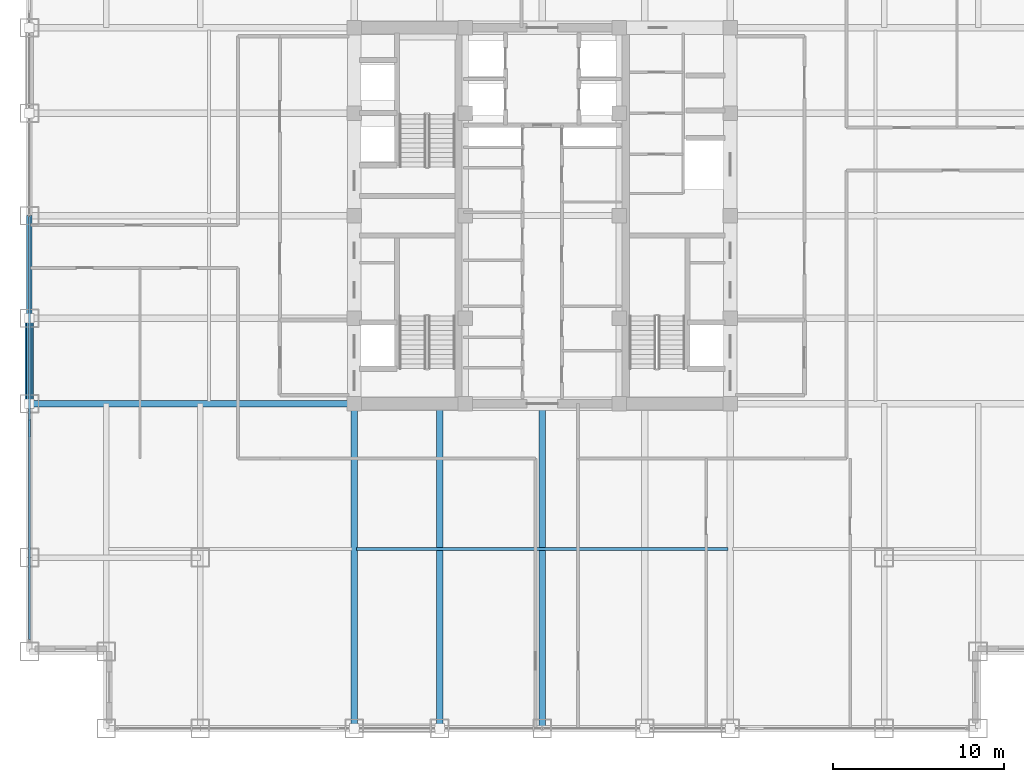
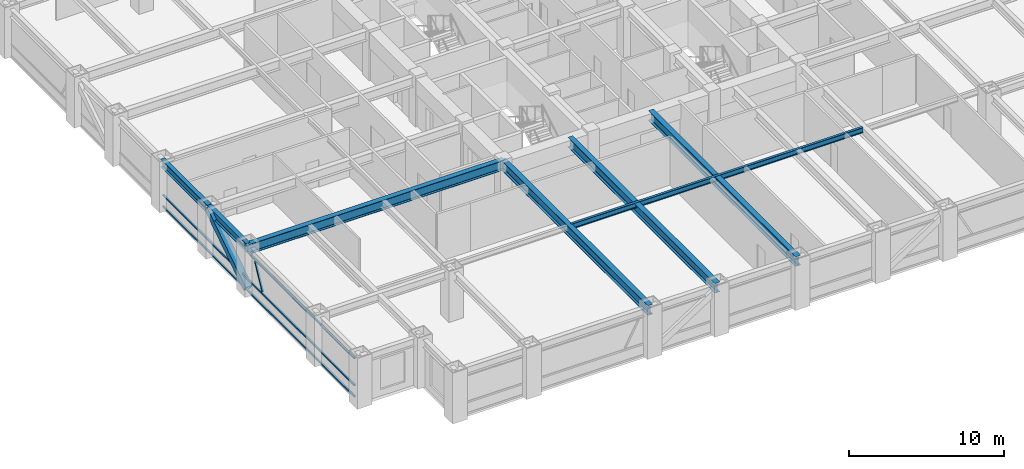
# One storey, part 5 of 25: 7 beams, 5 members, 1 element without a shape of its own.
"""IFC4 building model written with IfcOpenShell, lengths in metres."""

from ifc_helpers import new_model, si_unit, direction, frame, origin, origin_2d, place, context, subcontext, project, spatial, hollow_rectangle, i_section, extrude, source, transform, mapped, material, material_profile, profile_set, type_object, element, aggregate, save


model = new_model("IFC4")

# Units and contexts
model_context = context("Model", 3, precision=1e-05, world=origin(), true_north=direction((0.0, 1.0)))
body_context = subcontext(model_context, "Body", "Model", "MODEL_VIEW")
ifc_project = project(units=[si_unit("LENGTHUNIT", "METRE"), si_unit("AREAUNIT", "SQUARE_METRE"), si_unit("VOLUMEUNIT", "CUBIC_METRE"), si_unit("PLANEANGLEUNIT", "RADIAN"), si_unit("MASSUNIT", "GRAM", prefix="KILO")], contexts=[model_context])

# Site, building, storey
site_placement = place(None, origin())
site = spatial("IfcSite", under=ifc_project, at=site_placement, CompositionType="ELEMENT")
building_placement = place(site_placement, origin())
building = spatial("IfcBuilding", under=site, at=building_placement, Name="Khorayat Bourse Tower", CompositionType="ELEMENT")
storey_placement = place(building_placement, frame((0.0, 0.0, 199.10009765625)))
storey = spatial("IfcBuildingStorey", under=building, at=storey_placement, Name="L46", CompositionType="ELEMENT", Elevation=199.10009765625)

# Beams
ifc_material_1 = material(Name="Steel ASTM A992 Grade 50", Category="steel")
ifc_material_profile_1 = material_profile(ifc_material_1, i_section(OverallWidth=0.381103515625, OverallDepth=0.77294921875, WebThickness=0.0166015625, FlangeThickness=0.027587890625, FilletRadius=0.01806640625, at=origin_2d()), Name="W760X257")
ifc_profile_set_1 = profile_set([ifc_material_profile_1], Name="Steel ASTM A992 Grade 50")
beam_type_1 = type_object("IfcBeamType", Name="BM-GIRD-760", PredefinedType="BEAM", material=ifc_profile_set_1)
shared_shape_1 = source(origin(), body_context, "Body", "SweptSolid", [
    extrude(i_section(OverallWidth=0.381103515625, OverallDepth=0.77294921875, WebThickness=0.0166015625, FlangeThickness=0.027587890625, FilletRadius=0.01806640625, at=origin_2d()), origin(), (0.0, 0.0, 1.0), 19.0),
])
for number, where, z_axis, x_axis, name in (
    (1, (-11.0, -30.0, 3.393310546875), (0.0, 1.0, 0.0), (-1.0, 0.0, 0.0), "L46 BM-GIRD-760 BM-L46-RADY-065"),
    (2, (-6.0, -30.0, 3.393310546875), (0.0, 1.0, 0.0), (-1.0, 0.0, 0.0), "L46 BM-GIRD-760 BM-L46-RADY-067"),
    (3, (0.0, -30.0, 3.393310546875), (0.0, 1.0, 0.0), (-1.0, 0.0, 0.0), "L46 BM-GIRD-760 BM-L46-RADY-069"),
    (4, (-30.0, -11.0, 3.393310546875), (1.0, 0.0, 0.0), (0.0, 1.0, 0.0), "L46 BM-GIRD-760 BM-L46-RADX-075"),
):
    element("IfcBeam", number, at=place(storey_placement, frame(where, z_axis=z_axis, x_axis=x_axis)), inside=storey, type_object=beam_type_1, Name=name, PredefinedType="BEAM", context=body_context, shape_type="MappedRepresentation", body=[
        mapped(shared_shape_1, transform((0.0, 0.0, 0.0), scale=1.0)),
    ])
ifc_material_profile_2 = material_profile(ifc_material_1, i_section(OverallWidth=0.180908203125, OverallDepth=0.4169921875, WebThickness=0.010986328125, FlangeThickness=0.018310546875, FilletRadius=0.011962890625, at=origin_2d()), Name="W410X85")
ifc_profile_set_2 = profile_set([ifc_material_profile_2], Name="Steel ASTM A992 Grade 50")
beam_type_2 = type_object("IfcBeamType", Name="BM-JOIST-410", PredefinedType="JOIST", material=ifc_profile_set_2)
shared_shape_2 = source(origin(), body_context, "Body", "SweptSolid", [
    extrude(i_section(OverallWidth=0.180908203125, OverallDepth=0.4169921875, WebThickness=0.010986328125, FlangeThickness=0.018310546875, FilletRadius=0.011962890625, at=origin_2d()), origin(), (0.0, 0.0, 1.0), 21.740234375),
])
beam_1_placement = place(storey_placement, frame((-10.8701171875, -19.5, 3.5712890625), z_axis=(1.0, 0.0, 0.0), x_axis=(0.0, 1.0, 0.0)))
element("IfcBeam", 5, at=beam_1_placement, inside=storey, type_object=beam_type_2, Name="L46 BM-JOIST-410 BM-L46-JSTX-097", PredefinedType="JOIST", context=body_context, shape_type="MappedRepresentation", body=[
    mapped(shared_shape_2, transform((0.0, 0.0, 0.0), scale=1.0)),
])
ifc_material_profile_3 = material_profile(ifc_material_1, i_section(OverallWidth=0.324951171875, OverallDepth=0.615966796875, WebThickness=0.013916015625, FlangeThickness=0.021484375, FilletRadius=0.01611328125, at=origin_2d()), Name="W610X174")
ifc_profile_set_3 = profile_set([ifc_material_profile_3], Name="Steel ASTM A992 Grade 50")
beam_type_3 = type_object("IfcBeamType", Name="BM-SPAN-610", PredefinedType="SPANDREL", material=ifc_profile_set_3)
shared_shape_3 = source(origin(), body_context, "Body", "SweptSolid", [
    extrude(i_section(OverallWidth=0.324951171875, OverallDepth=0.615966796875, WebThickness=0.013916015625, FlangeThickness=0.021484375, FilletRadius=0.01611328125, at=origin_2d()), origin(), (0.0, 0.0, 1.0), 5.0),
])
beam_2_placement = place(storey_placement, frame((-30.0, -11.0, 3.471923828125), z_axis=(0.0, 1.0, 0.0), x_axis=(-1.0, 0.0, 0.0)))
element("IfcBeam", 6, at=beam_2_placement, inside=storey, type_object=beam_type_3, Name="L46 BM-SPAN-610 BM-L46-SPN-059", PredefinedType="SPANDREL", context=body_context, shape_type="MappedRepresentation", body=[
    mapped(shared_shape_3, transform((0.0, 0.0, 0.0), scale=1.0)),
])
shared_shape_4 = source(origin(), body_context, "Body", "SweptSolid", [
    extrude(i_section(OverallWidth=0.324951171875, OverallDepth=0.615966796875, WebThickness=0.013916015625, FlangeThickness=0.021484375, FilletRadius=0.01611328125, at=origin_2d()), origin(), (0.0, 0.0, 1.0), 6.0),
])
beam_3_placement = place(storey_placement, frame((-30.0, -6.0, 3.471923828125), z_axis=(0.0, 1.0, 0.0), x_axis=(-1.0, 0.0, 0.0)))
element("IfcBeam", 7, at=beam_3_placement, inside=storey, type_object=beam_type_3, Name="L46 BM-SPAN-610 BM-L46-SPN-058", PredefinedType="SPANDREL", context=body_context, shape_type="MappedRepresentation", body=[
    mapped(shared_shape_4, transform((0.0, 0.0, 0.0), scale=1.0)),
])

# Member
ifc_material_2 = material(Name="Steel EN 10025-4 S460M", Category="steel")
ifc_material_profile_4 = material_profile(ifc_material_2, hollow_rectangle(XDim=0.5, YDim=0.5, WallThickness=0.028076171875, at=origin_2d()), Name="HSS 500x500x28")
ifc_profile_set_4 = profile_set([ifc_material_profile_4], Name="Steel EN 10025-4 S460M")
member_type_1 = type_object("IfcMemberType", Name="MBR-TUBE-500", PredefinedType="BRACE", material=ifc_profile_set_4)
shared_shape_5 = source(origin(), body_context, "Body", "SweptSolid", [
    extrude(hollow_rectangle(XDim=0.5, YDim=0.5, WallThickness=0.028076171875, at=origin_2d()), origin(), (0.0, 0.0, 1.0), 5.979736328125),
])
member_1_placement = place(storey_placement, frame((-30.0, -11.0, 0.25), z_axis=(0.0, 0.836160261256, 0.548485202623), x_axis=(-1.0, 0.0, 0.0)))
element("IfcMember", 8, at=member_1_placement, inside=storey, type_object=member_type_1, Name="L46 Perimeter Tube Brace 05", PredefinedType="BRACE", context=body_context, shape_type="MappedRepresentation", body=[
    mapped(shared_shape_5, transform((0.0, 0.0, 0.0), scale=1.0)),
])

# Curtain wall, members
ifc_material_3 = material(Name="Aluminium EN AW-6063 T6", Category="aluminium")
curtain_wall_type = type_object("IfcCurtainWallType", Name="CW-SYS-03", PredefinedType="NOTDEFINED", material=ifc_material_3)
curtain_wall_placement = place(storey_placement, origin())
curtain_wall = element("IfcCurtainWall", 9, at=curtain_wall_placement, inside=storey, type_object=curtain_wall_type, Name="L46 Curtain Wall CW-L46-W1", PredefinedType="NOTDEFINED")
ifc_material_profile_5 = material_profile(ifc_material_3, hollow_rectangle(XDim=0.1201171875, YDim=0.1201171875, WallThickness=0.0048828125, at=origin_2d()), Name="ALU 120x120x5")
ifc_profile_set_5 = profile_set([ifc_material_profile_5], Name="Aluminium EN AW-6063 T6")
member_type_2 = type_object("IfcMemberType", Name="CWM-DIAG-120", PredefinedType="MULLION", material=ifc_profile_set_5)
shared_shape_6 = source(origin(), body_context, "Body", "SweptSolid", [
    extrude(hollow_rectangle(XDim=0.1201171875, YDim=0.1201171875, WallThickness=0.0048828125, at=origin_2d()), origin(), (0.0, 0.0, 1.0), 2.079345703125),
])
member_2_placement = place(storey_placement, frame((-30.0, -12.904296875, 1.08984375), z_axis=(0.0, 0.465760949701, 0.884910581773), x_axis=(-1.0, 0.0, 0.0)))
member_2 = element("IfcMember", 10, at=member_2_placement, type_object=member_type_2, Name="CW-L46-W1 Faceted Diagonal Mullion 1", PredefinedType="MULLION", context=body_context, shape_type="MappedRepresentation", body=[
    mapped(shared_shape_6, transform((0.0, 0.0, 0.0), scale=1.0)),
])
ifc_material_profile_6 = material_profile(ifc_material_3, hollow_rectangle(XDim=0.1201171875, YDim=0.1201171875, WallThickness=0.0048828125, at=origin_2d()), Name="ALU 120x120x5")
ifc_profile_set_6 = profile_set([ifc_material_profile_6], Name="Aluminium EN AW-6063 T6")
member_type_3 = type_object("IfcMemberType", Name="CWT-HORZ-120", PredefinedType="USERDEFINED", material=ifc_profile_set_6)
shared_shape_7 = source(origin(), body_context, "Body", "SweptSolid", [
    extrude(hollow_rectangle(XDim=0.1201171875, YDim=0.1201171875, WallThickness=0.0048828125, at=origin_2d()), origin(), (0.0, 0.0, 1.0), 24.719970703125),
])
member_3_placement = place(storey_placement, frame((-30.0, -24.780029296875, 0.059814453125), z_axis=(0.0, 1.0, 0.0), x_axis=(-1.0, 0.0, 0.0)))
member_3 = element("IfcMember", 11, at=member_3_placement, type_object=member_type_3, Name="CW-L46-W1 Horizontal Transom 1-1", ObjectType="TRANSOM", PredefinedType="USERDEFINED", context=body_context, shape_type="MappedRepresentation", body=[
    mapped(shared_shape_7, transform((0.0, 0.0, 0.0), scale=1.0)),
])
member_4_placement = place(storey_placement, frame((-30.0, -24.780029296875, 0.949951171875), z_axis=(0.0, 1.0, 0.0), x_axis=(-1.0, 0.0, 0.0)))
member_4 = element("IfcMember", 12, at=member_4_placement, type_object=member_type_3, Name="CW-L46-W1 Horizontal Transom 1-2", ObjectType="TRANSOM", PredefinedType="USERDEFINED", context=body_context, shape_type="MappedRepresentation", body=[
    mapped(shared_shape_7, transform((0.0, 0.0, 0.0), scale=1.0)),
])
member_5_placement = place(storey_placement, frame((-30.0, -24.780029296875, 3.06982421875), z_axis=(0.0, 1.0, 0.0), x_axis=(-1.0, 0.0, 0.0)))
member_5 = element("IfcMember", 13, at=member_5_placement, type_object=member_type_3, Name="CW-L46-W1 Horizontal Transom 1-3", ObjectType="TRANSOM", PredefinedType="USERDEFINED", context=body_context, shape_type="MappedRepresentation", body=[
    mapped(shared_shape_7, transform((0.0, 0.0, 0.0), scale=1.0)),
])
aggregate(curtain_wall, [member_3, member_4, member_5, member_2])

save(model, "model.ifc")
